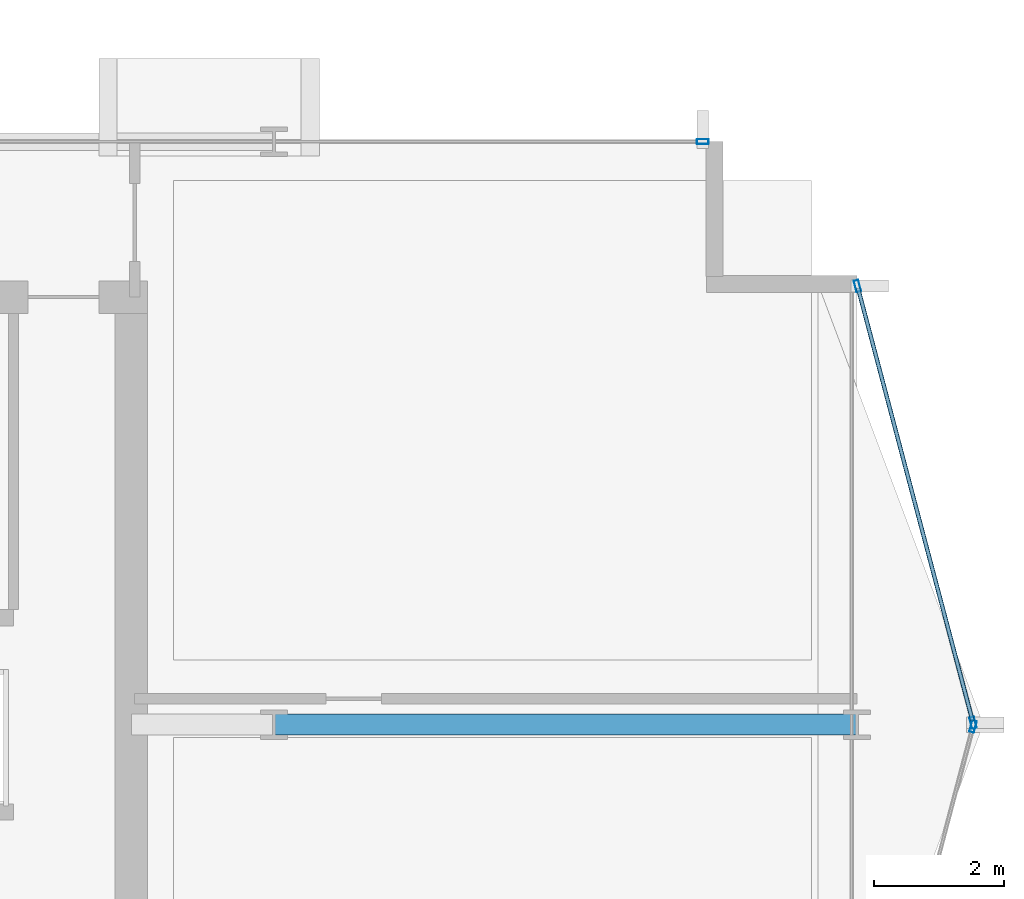
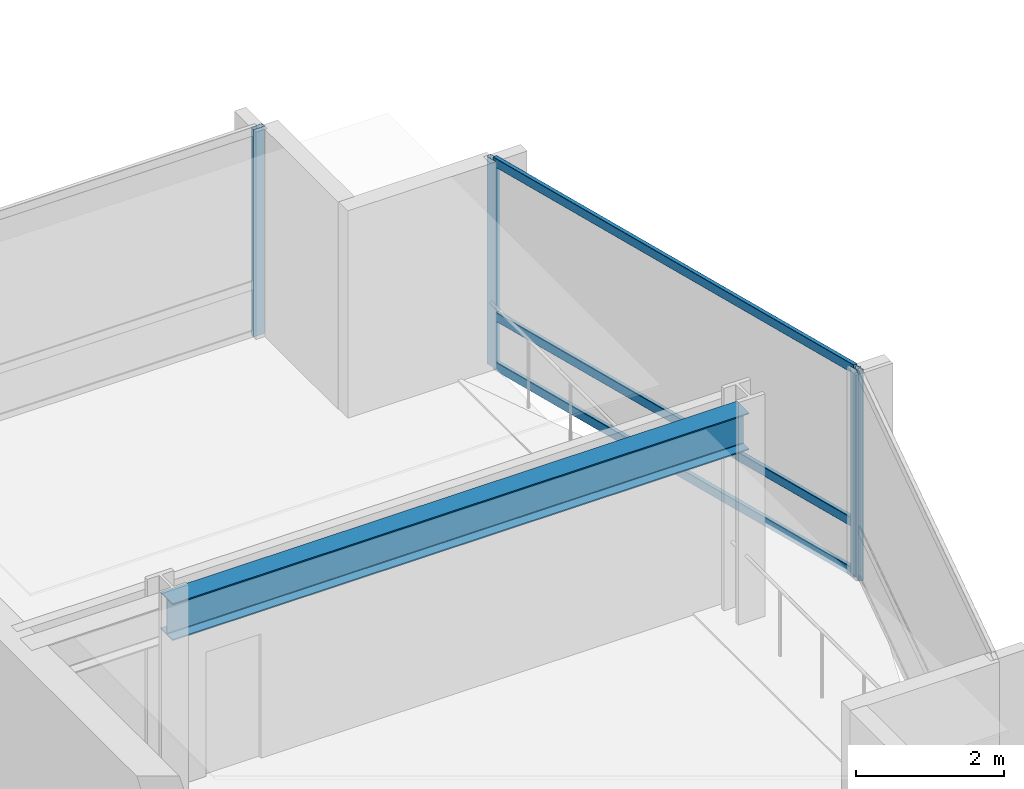
# One storey, part 14 of 29: 7 members, 1 beam, 3 elements without a shape of their own.
"""IFC4 building model written with IfcOpenShell, lengths in metres."""

from ifc_helpers import new_model, si_unit, direction, frame, origin, origin_2d, place, context, subcontext, project, spatial, hollow_rectangle, i_section, extrude, material, layer, layer_set, material_profile, profile_set, type_object, element, aggregate, save


model = new_model("IFC4")

# Units and contexts
model_context = context("Model", 3, precision=1e-05, world=origin(), true_north=direction((0.0, 1.0)))
body_context = subcontext(model_context, "Body", "Model", "MODEL_VIEW")
ifc_project = project(units=[si_unit("LENGTHUNIT", "METRE"), si_unit("AREAUNIT", "SQUARE_METRE"), si_unit("VOLUMEUNIT", "CUBIC_METRE"), si_unit("PLANEANGLEUNIT", "RADIAN"), si_unit("MASSUNIT", "GRAM", prefix="KILO")], contexts=[model_context])

# Site, building, storey
site_placement = place(None, origin())
site = spatial("IfcSite", under=ifc_project, at=site_placement, CompositionType="ELEMENT")
building_placement = place(site_placement, origin())
building = spatial("IfcBuilding", under=site, at=building_placement, Name="Solvaryn Broadcast Tower", CompositionType="ELEMENT")
storey_placement = place(building_placement, frame((0.0, 0.0, 128.5)))
storey = spatial("IfcBuildingStorey", under=building, at=storey_placement, Name="L31", CompositionType="ELEMENT", Elevation=128.5)

# Beam
ifc_material_1 = material(Name="Steel ASTM A992 Grade 50", Category="steel")
ifc_material_profile_1 = material_profile(ifc_material_1, i_section(OverallWidth=0.323974609375, OverallDepth=0.611083984375, WebThickness=0.0126953125, FlangeThickness=0.01904296875, FilletRadius=0.014892578125, at=origin_2d()))
ifc_profile_set_1 = profile_set([ifc_material_profile_1], Name="Steel ASTM A992 Grade 50")
beam_type = type_object("IfcBeamType", Name="BM-B1-W24X104", PredefinedType="BEAM", material=ifc_profile_set_1)
beam_placement = place(storey_placement, frame((45.0, 18.0, 3.114501953125), z_axis=(1.0, 0.0, 0.0), x_axis=(0.0, 1.0, 0.0)))
element("IfcBeam", 1, at=beam_placement, inside=storey, type_object=beam_type, Name="L31 Primary Beam X (45-54 @ Y=18)", PredefinedType="BEAM", context=body_context, shape_type="SweptSolid", body=[
    extrude(i_section(OverallWidth=0.323974609375, OverallDepth=0.611083984375, WebThickness=0.0126953125, FlangeThickness=0.01904296875, FilletRadius=0.014892578125, at=origin_2d()), origin(), (0.0, 0.0, 1.0), 9.0),
])

# Curtain wall, members
ifc_material_2 = material(Name="Aluminium and Terracotta Unitised Curtain Wall", Category="masonry")
ifc_layer = layer(ifc_material_2, 0.199951171875)
ifc_layer_set = layer_set([ifc_layer], Name="CW-SYS2-LOWMID")
curtain_wall_type = type_object("IfcCurtainWallType", Name="CW-SYS2-LOWMID", PredefinedType="NOTDEFINED", material=ifc_layer_set)
curtain_wall_1_placement = place(storey_placement, origin())
curtain_wall_1 = element("IfcCurtainWall", 2, at=curtain_wall_1_placement, inside=storey, type_object=curtain_wall_type, Name="L31 Curtain Wall ET1", PredefinedType="NOTDEFINED")
ifc_material_3 = material(Name="Anodised Aluminium 6063-T6", Category="aluminium")
ifc_material_profile_2 = material_profile(ifc_material_3, hollow_rectangle(XDim=0.074951171875, YDim=0.179931640625, WallThickness=0.00390625, InnerFilletRadius=0.00390625, OuterFilletRadius=0.008056640625, at=origin_2d()))
ifc_profile_set_2 = profile_set([ifc_material_profile_2], Name="Anodised Aluminium 6063-T6")
member_type_1 = type_object("IfcMemberType", Name="CW-MUL-180", PredefinedType="MULLION", material=ifc_profile_set_2)
member_1_placement = place(storey_placement, frame((54.007568359375, 24.77099609375, 0.0), z_axis=(0.0, 0.0, 1.0), x_axis=(0.966705227863, 0.25589256031, 0.0)))
member_1 = element("IfcMember", 3, at=member_1_placement, type_object=member_type_1, Name="CWS2 mullion 1", PredefinedType="MULLION", context=body_context, shape_type="SweptSolid", body=[
    extrude(hollow_rectangle(XDim=0.074951171875, YDim=0.179931640625, WallThickness=0.00390625, InnerFilletRadius=0.00390625, OuterFilletRadius=0.008056640625, at=origin_2d()), origin(), (0.0, 0.0, 1.0), 3.419921875),
])
member_2_placement = place(storey_placement, frame((55.792236328125, 18.029052734375, 0.0), z_axis=(0.0, 0.0, 1.0), x_axis=(0.966705227863, 0.25589256031, 0.0)))
member_2 = element("IfcMember", 4, at=member_2_placement, type_object=member_type_1, Name="CWS2 mullion 2", PredefinedType="MULLION", context=body_context, shape_type="SweptSolid", body=[
    extrude(hollow_rectangle(XDim=0.074951171875, YDim=0.179931640625, WallThickness=0.00390625, InnerFilletRadius=0.00390625, OuterFilletRadius=0.008056640625, at=origin_2d()), origin(), (0.0, 0.0, 1.0), 3.419921875),
])

# Curtain wall, member
curtain_wall_2_placement = place(storey_placement, origin())
curtain_wall_2 = element("IfcCurtainWall", 5, at=curtain_wall_2_placement, inside=storey, type_object=curtain_wall_type, Name="L31 Curtain Wall ET2", PredefinedType="NOTDEFINED")
member_3_placement = place(storey_placement, frame((55.792236328125, 17.970947265625, 0.0), z_axis=(0.0, 0.0, 1.0), x_axis=(0.966705227863, -0.25589256031, 0.0)))
member_3 = element("IfcMember", 6, at=member_3_placement, type_object=member_type_1, Name="CWS2 mullion 1", PredefinedType="MULLION", context=body_context, shape_type="SweptSolid", body=[
    extrude(hollow_rectangle(XDim=0.074951171875, YDim=0.179931640625, WallThickness=0.00390625, InnerFilletRadius=0.00390625, OuterFilletRadius=0.008056640625, at=origin_2d()), origin(), (0.0, 0.0, 1.0), 3.419921875),
])
aggregate(curtain_wall_2, [member_3])

curtain_wall_3_placement = place(storey_placement, origin())
curtain_wall_3 = element("IfcCurtainWall", 7, at=curtain_wall_3_placement, inside=storey, type_object=curtain_wall_type, Name="L31 Curtain Wall IH", PredefinedType="NOTDEFINED")
member_4_placement = place(storey_placement, frame((51.6201171875, 27.0, 0.0), z_axis=(0.0, 0.0, 1.0), x_axis=(0.0, 1.0, 0.0)))
member_4 = element("IfcMember", 8, at=member_4_placement, type_object=member_type_1, Name="CWS2 mullion 2", PredefinedType="MULLION", context=body_context, shape_type="SweptSolid", body=[
    extrude(hollow_rectangle(XDim=0.074951171875, YDim=0.179931640625, WallThickness=0.00390625, InnerFilletRadius=0.00390625, OuterFilletRadius=0.008056640625, at=origin_2d()), origin(), (0.0, 0.0, 1.0), 3.419921875),
])
aggregate(curtain_wall_3, [member_4])

# Member
ifc_material_4 = material(Name="Anodised Aluminium 6063-T6", Category="aluminium")
ifc_material_profile_3 = material_profile(ifc_material_4, hollow_rectangle(XDim=0.06494140625, YDim=0.14990234375, WallThickness=0.00390625, InnerFilletRadius=0.00390625, OuterFilletRadius=0.008056640625, at=origin_2d()))
ifc_profile_set_3 = profile_set([ifc_material_profile_3], Name="Anodised Aluminium 6063-T6")
member_type_2 = type_object("IfcMemberType", Name="CW-TRN-150", PredefinedType="USERDEFINED", material=ifc_profile_set_3)
member_5_placement = place(storey_placement, frame((54.015380859375, 24.741943359375, 0.030029296875), z_axis=(0.255897413051, -0.966703943301, 0.0), x_axis=(0.966703943301, 0.255897413051, 0.0)))
member_5 = element("IfcMember", 9, at=member_5_placement, type_object=member_type_2, Name="CWS2 transom 1.1", ObjectType="TRANSOM", PredefinedType="USERDEFINED", context=body_context, shape_type="SweptSolid", body=[
    extrude(hollow_rectangle(XDim=0.06494140625, YDim=0.14990234375, WallThickness=0.00390625, InnerFilletRadius=0.00390625, OuterFilletRadius=0.008056640625, at=origin_2d()), origin(), (0.0, 0.0, 1.0), 6.9140625),
])

member_6_placement = place(storey_placement, frame((54.015380859375, 24.741943359375, 0.85009765625), z_axis=(0.255897413051, -0.966703943301, 0.0), x_axis=(0.966703943301, 0.255897413051, 0.0)))
member_6 = element("IfcMember", 10, at=member_6_placement, type_object=member_type_2, Name="CWS2 transom 1.2", ObjectType="TRANSOM", PredefinedType="USERDEFINED", context=body_context, shape_type="SweptSolid", body=[
    extrude(hollow_rectangle(XDim=0.06494140625, YDim=0.14990234375, WallThickness=0.00390625, InnerFilletRadius=0.00390625, OuterFilletRadius=0.008056640625, at=origin_2d()), origin(), (0.0, 0.0, 1.0), 6.9140625),
])

member_7_placement = place(storey_placement, frame((54.015380859375, 24.741943359375, 3.389892578125), z_axis=(0.255897413051, -0.966703943301, 0.0), x_axis=(0.966703943301, 0.255897413051, 0.0)))
member_7 = element("IfcMember", 11, at=member_7_placement, type_object=member_type_2, Name="CWS2 transom 1.3", ObjectType="TRANSOM", PredefinedType="USERDEFINED", context=body_context, shape_type="SweptSolid", body=[
    extrude(hollow_rectangle(XDim=0.06494140625, YDim=0.14990234375, WallThickness=0.00390625, InnerFilletRadius=0.00390625, OuterFilletRadius=0.008056640625, at=origin_2d()), origin(), (0.0, 0.0, 1.0), 6.9140625),
])

aggregate(curtain_wall_1, [member_1, member_2, member_5, member_6, member_7])

save(model, "model.ifc")
